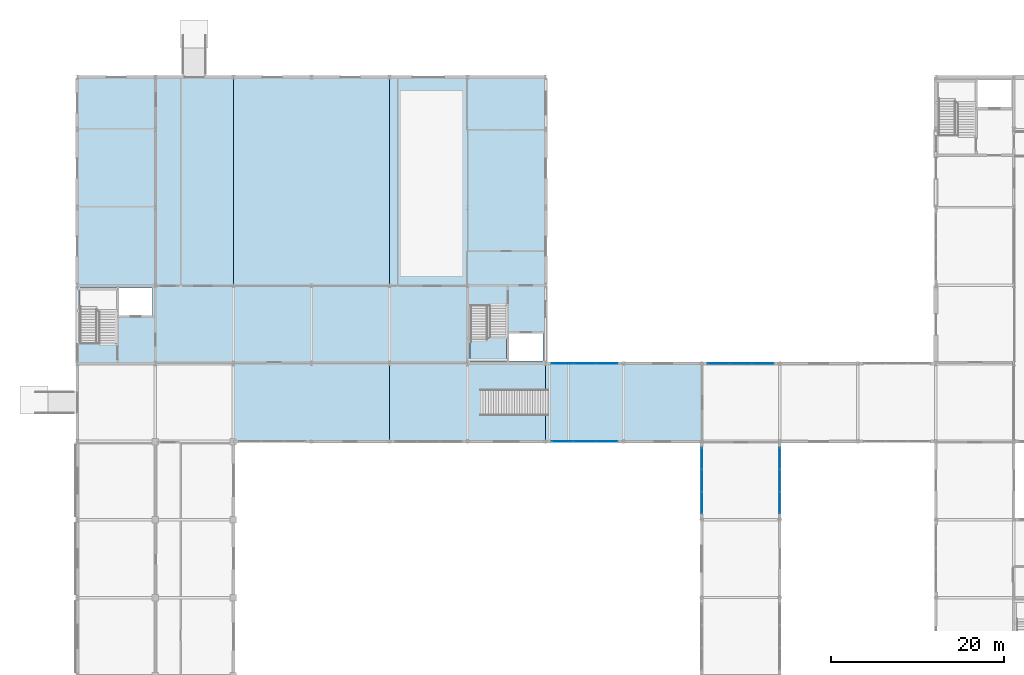
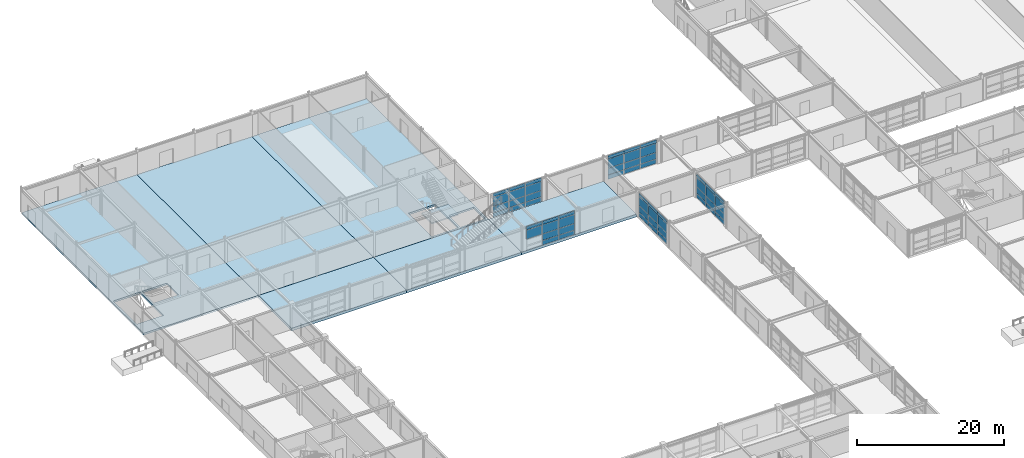
# One storey, part 49 of 72: 58 plates, 7 slabs, 5 elements without a shape of their own.
"""IFC4 building model written with IfcOpenShell, lengths in metres."""

from ifc_helpers import new_model, si_unit, direction, frame, origin, origin_2d, place, context, subcontext, project, spatial, polyline, rectangle, outline, extrude, material, layer, layer_set, type_object, element, aggregate, save


model = new_model("IFC4")

# Units and contexts
model_context = context("Model", 3, precision=1e-05, world=origin(), true_north=direction((0.0, 1.0)))
body_context = subcontext(model_context, "Body", "Model", "MODEL_VIEW")
ifc_project = project(units=[si_unit("LENGTHUNIT", "METRE"), si_unit("AREAUNIT", "SQUARE_METRE"), si_unit("VOLUMEUNIT", "CUBIC_METRE"), si_unit("PLANEANGLEUNIT", "RADIAN"), si_unit("MASSUNIT", "GRAM", prefix="KILO")], contexts=[model_context])

# Site, building, storey
site_placement = place(None, origin())
site = spatial("IfcSite", under=ifc_project, at=site_placement, CompositionType="ELEMENT")
building_placement = place(site_placement, origin())
building = spatial("IfcBuilding", under=site, at=building_placement, Name="Palais des Congres Ocreval", CompositionType="ELEMENT")
storey_placement = place(building_placement, origin())
storey = spatial("IfcBuildingStorey", under=building, at=storey_placement, Name="L00", CompositionType="ELEMENT", Elevation=0.0)

# Curtain wall, plates
ifc_material_1 = material(Name="Anodized bronze aluminium and low-E glass", Category="glass")
curtain_wall_type = type_object("IfcCurtainWallType", Name="Unitised Curtain Wall 7900x4060", PredefinedType="USERDEFINED", material=ifc_material_1)
curtain_wall_1_placement = place(storey_placement, origin())
curtain_wall_1 = element("IfcCurtainWall", 1, at=curtain_wall_1_placement, inside=storey, type_object=curtain_wall_type, Name="Unitised Curtain Wall CW01 L00", ObjectType="UNITISED CURTAIN WALL", PredefinedType="USERDEFINED")
ifc_material_2 = material(Name="Acoustic triple glazing", Category="glass")
ifc_layer_1 = layer(ifc_material_2, 0.0439453125)
ifc_layer_set_1 = layer_set([ifc_layer_1], Name="Acoustic Laminated Glazing Panel 44 (Acoustic triple glazing)")
plate_type_1 = type_object("IfcPlateType", Name="Acoustic Laminated Glazing Panel 44", PredefinedType="CURTAIN_PANEL", material=ifc_layer_set_1)
plate_1_placement = place(storey_placement, frame((73.9521484375, 81.0, 0.06005859375), z_axis=(0.0, 0.0, 1.0), x_axis=(1.0, 0.0, 0.0)))
plate_1 = element("IfcPlate", 2, at=plate_1_placement, type_object=plate_type_1, Name="Vision Glazing Panel VP02", PredefinedType="CURTAIN_PANEL", context=body_context, shape_type="SweptSolid", body=[
    extrude(rectangle(XDim=2.4541015625, YDim=0.0439453125, at=origin_2d()), origin(), (0.0, 0.0, 1.0), 0.68994140625),
])
plate_2_placement = place(storey_placement, frame((73.9521484375, 81.0, 0.81005859375), z_axis=(0.0, 0.0, 1.0), x_axis=(1.0, 0.0, 0.0)))
plate_2 = element("IfcPlate", 3, at=plate_2_placement, type_object=plate_type_1, Name="Vision Glazing Panel VP02", PredefinedType="CURTAIN_PANEL", context=body_context, shape_type="SweptSolid", body=[
    extrude(rectangle(XDim=2.4541015625, YDim=0.0439453125, at=origin_2d()), origin(), (0.0, 0.0, 1.0), 1.03271484375),
])
plate_3_placement = place(storey_placement, frame((73.9521484375, 81.0, 1.90283203125), z_axis=(0.0, 0.0, 1.0), x_axis=(1.0, 0.0, 0.0)))
plate_3 = element("IfcPlate", 4, at=plate_3_placement, type_object=plate_type_1, Name="Vision Glazing Panel VP02", PredefinedType="CURTAIN_PANEL", context=body_context, shape_type="SweptSolid", body=[
    extrude(rectangle(XDim=2.4541015625, YDim=0.0439453125, at=origin_2d()), origin(), (0.0, 0.0, 1.0), 1.47216796875),
])
plate_4_placement = place(storey_placement, frame((76.5, 81.0, 0.06005859375), z_axis=(0.0, 0.0, 1.0), x_axis=(1.0, 0.0, 0.0)))
plate_4 = element("IfcPlate", 5, at=plate_4_placement, type_object=plate_type_1, Name="Vision Glazing Panel VP02", PredefinedType="CURTAIN_PANEL", context=body_context, shape_type="SweptSolid", body=[
    extrude(rectangle(XDim=2.49169921875, YDim=0.0439453125, at=origin_2d()), origin(), (0.0, 0.0, 1.0), 0.68994140625),
])
plate_5_placement = place(storey_placement, frame((76.5, 81.0, 0.81005859375), z_axis=(0.0, 0.0, 1.0), x_axis=(1.0, 0.0, 0.0)))
plate_5 = element("IfcPlate", 6, at=plate_5_placement, type_object=plate_type_1, Name="Vision Glazing Panel VP02", PredefinedType="CURTAIN_PANEL", context=body_context, shape_type="SweptSolid", body=[
    extrude(rectangle(XDim=2.49169921875, YDim=0.0439453125, at=origin_2d()), origin(), (0.0, 0.0, 1.0), 1.03271484375),
])
plate_6_placement = place(storey_placement, frame((76.5, 81.0, 1.90283203125), z_axis=(0.0, 0.0, 1.0), x_axis=(1.0, 0.0, 0.0)))
plate_6 = element("IfcPlate", 7, at=plate_6_placement, type_object=plate_type_1, Name="Vision Glazing Panel VP02", PredefinedType="CURTAIN_PANEL", context=body_context, shape_type="SweptSolid", body=[
    extrude(rectangle(XDim=2.49169921875, YDim=0.0439453125, at=origin_2d()), origin(), (0.0, 0.0, 1.0), 1.47216796875),
])
plate_7_placement = place(storey_placement, frame((79.0478515625, 81.0, 0.06005859375), z_axis=(0.0, 0.0, 1.0), x_axis=(1.0, 0.0, 0.0)))
plate_7 = element("IfcPlate", 8, at=plate_7_placement, type_object=plate_type_1, Name="Vision Glazing Panel VP02", PredefinedType="CURTAIN_PANEL", context=body_context, shape_type="SweptSolid", body=[
    extrude(rectangle(XDim=2.4541015625, YDim=0.0439453125, at=origin_2d()), origin(), (0.0, 0.0, 1.0), 0.68994140625),
])
plate_8_placement = place(storey_placement, frame((79.0478515625, 81.0, 0.81005859375), z_axis=(0.0, 0.0, 1.0), x_axis=(1.0, 0.0, 0.0)))
plate_8 = element("IfcPlate", 9, at=plate_8_placement, type_object=plate_type_1, Name="Vision Glazing Panel VP02", PredefinedType="CURTAIN_PANEL", context=body_context, shape_type="SweptSolid", body=[
    extrude(rectangle(XDim=2.4541015625, YDim=0.0439453125, at=origin_2d()), origin(), (0.0, 0.0, 1.0), 1.03271484375),
])
plate_9_placement = place(storey_placement, frame((79.0478515625, 81.0, 1.90283203125), z_axis=(0.0, 0.0, 1.0), x_axis=(1.0, 0.0, 0.0)))
plate_9 = element("IfcPlate", 10, at=plate_9_placement, type_object=plate_type_1, Name="Vision Glazing Panel VP02", PredefinedType="CURTAIN_PANEL", context=body_context, shape_type="SweptSolid", body=[
    extrude(rectangle(XDim=2.4541015625, YDim=0.0439453125, at=origin_2d()), origin(), (0.0, 0.0, 1.0), 1.47216796875),
])

curtain_wall_2_placement = place(storey_placement, origin())
curtain_wall_2 = element("IfcCurtainWall", 11, at=curtain_wall_2_placement, inside=storey, type_object=curtain_wall_type, Name="Unitised Curtain Wall CW01 L00", ObjectType="UNITISED CURTAIN WALL", PredefinedType="USERDEFINED")
plate_10_placement = place(storey_placement, frame((61.0478515625, 72.0, 0.06005859375), z_axis=(0.0, 0.0, 1.0), x_axis=(-1.0, 0.0, 0.0)))
plate_10 = element("IfcPlate", 12, at=plate_10_placement, type_object=plate_type_1, Name="Vision Glazing Panel VP02", PredefinedType="CURTAIN_PANEL", context=body_context, shape_type="SweptSolid", body=[
    extrude(rectangle(XDim=2.4541015625, YDim=0.0439453125, at=origin_2d()), origin(), (0.0, 0.0, 1.0), 0.68994140625),
])
plate_11_placement = place(storey_placement, frame((61.0478515625, 72.0, 0.81005859375), z_axis=(0.0, 0.0, 1.0), x_axis=(-1.0, 0.0, 0.0)))
plate_11 = element("IfcPlate", 13, at=plate_11_placement, type_object=plate_type_1, Name="Vision Glazing Panel VP02", PredefinedType="CURTAIN_PANEL", context=body_context, shape_type="SweptSolid", body=[
    extrude(rectangle(XDim=2.4541015625, YDim=0.0439453125, at=origin_2d()), origin(), (0.0, 0.0, 1.0), 1.03271484375),
])
plate_12_placement = place(storey_placement, frame((61.0478515625, 72.0, 1.90283203125), z_axis=(0.0, 0.0, 1.0), x_axis=(-1.0, 0.0, 0.0)))
plate_12 = element("IfcPlate", 14, at=plate_12_placement, type_object=plate_type_1, Name="Vision Glazing Panel VP02", PredefinedType="CURTAIN_PANEL", context=body_context, shape_type="SweptSolid", body=[
    extrude(rectangle(XDim=2.4541015625, YDim=0.0439453125, at=origin_2d()), origin(), (0.0, 0.0, 1.0), 1.47216796875),
])
plate_13_placement = place(storey_placement, frame((58.5, 72.0, 0.06005859375), z_axis=(0.0, 0.0, 1.0), x_axis=(-1.0, 0.0, 0.0)))
plate_13 = element("IfcPlate", 15, at=plate_13_placement, type_object=plate_type_1, Name="Vision Glazing Panel VP02", PredefinedType="CURTAIN_PANEL", context=body_context, shape_type="SweptSolid", body=[
    extrude(rectangle(XDim=2.49169921875, YDim=0.0439453125, at=origin_2d()), origin(), (0.0, 0.0, 1.0), 0.68994140625),
])
plate_14_placement = place(storey_placement, frame((58.5, 72.0, 0.81005859375), z_axis=(0.0, 0.0, 1.0), x_axis=(-1.0, 0.0, 0.0)))
plate_14 = element("IfcPlate", 16, at=plate_14_placement, type_object=plate_type_1, Name="Vision Glazing Panel VP02", PredefinedType="CURTAIN_PANEL", context=body_context, shape_type="SweptSolid", body=[
    extrude(rectangle(XDim=2.49169921875, YDim=0.0439453125, at=origin_2d()), origin(), (0.0, 0.0, 1.0), 1.03271484375),
])
plate_15_placement = place(storey_placement, frame((58.5, 72.0, 1.90283203125), z_axis=(0.0, 0.0, 1.0), x_axis=(-1.0, 0.0, 0.0)))
plate_15 = element("IfcPlate", 17, at=plate_15_placement, type_object=plate_type_1, Name="Vision Glazing Panel VP02", PredefinedType="CURTAIN_PANEL", context=body_context, shape_type="SweptSolid", body=[
    extrude(rectangle(XDim=2.49169921875, YDim=0.0439453125, at=origin_2d()), origin(), (0.0, 0.0, 1.0), 1.47216796875),
])
plate_16_placement = place(storey_placement, frame((55.9521484375, 72.0, 1.90283203125), z_axis=(0.0, 0.0, 1.0), x_axis=(-1.0, 0.0, 0.0)))
plate_16 = element("IfcPlate", 18, at=plate_16_placement, type_object=plate_type_1, Name="Vision Glazing Panel VP02", PredefinedType="CURTAIN_PANEL", context=body_context, shape_type="SweptSolid", body=[
    extrude(rectangle(XDim=2.4541015625, YDim=0.0439453125, at=origin_2d()), origin(), (0.0, 0.0, 1.0), 1.47216796875),
])

curtain_wall_3_placement = place(storey_placement, origin())
curtain_wall_3 = element("IfcCurtainWall", 19, at=curtain_wall_3_placement, inside=storey, type_object=curtain_wall_type, Name="Unitised Curtain Wall CW01 L00", ObjectType="UNITISED CURTAIN WALL", PredefinedType="USERDEFINED")
ifc_material_3 = material(Name="Anodized bronze aluminium", Category="aluminium")
ifc_layer_2 = layer(ifc_material_3, 0.06005859375)
ifc_layer_set_2 = layer_set([ifc_layer_2], Name="Anodized Bronze Spandrel Cassette 60 (Anodized bronze aluminium)")
plate_type_2 = type_object("IfcPlateType", Name="Anodized Bronze Spandrel Cassette 60", PredefinedType="SHEET", material=ifc_layer_set_2)
plate_17_placement = place(storey_placement, frame((55.9521484375, 81.0, 3.43505859375), z_axis=(0.0, 0.0, 1.0), x_axis=(1.0, 0.0, 0.0)))
plate_17 = element("IfcPlate", 20, at=plate_17_placement, type_object=plate_type_2, Name="Spandrel Sheet SPN1", PredefinedType="SHEET", context=body_context, shape_type="SweptSolid", body=[
    extrude(rectangle(XDim=2.4541015625, YDim=0.06005859375, at=origin_2d()), origin(), (0.0, 0.0, 1.0), 0.56005859375),
])
plate_18_placement = place(storey_placement, frame((58.5, 81.0, 3.43505859375), z_axis=(0.0, 0.0, 1.0), x_axis=(1.0, 0.0, 0.0)))
plate_18 = element("IfcPlate", 21, at=plate_18_placement, type_object=plate_type_2, Name="Spandrel Sheet SPN1", PredefinedType="SHEET", context=body_context, shape_type="SweptSolid", body=[
    extrude(rectangle(XDim=2.49169921875, YDim=0.06005859375, at=origin_2d()), origin(), (0.0, 0.0, 1.0), 0.56005859375),
])
plate_19_placement = place(storey_placement, frame((61.0478515625, 81.0, 3.43505859375), z_axis=(0.0, 0.0, 1.0), x_axis=(1.0, 0.0, 0.0)))
plate_19 = element("IfcPlate", 22, at=plate_19_placement, type_object=plate_type_2, Name="Spandrel Sheet SPN1", PredefinedType="SHEET", context=body_context, shape_type="SweptSolid", body=[
    extrude(rectangle(XDim=2.4541015625, YDim=0.06005859375, at=origin_2d()), origin(), (0.0, 0.0, 1.0), 0.56005859375),
])

# Plate
plate_20_placement = place(storey_placement, frame((61.0478515625, 72.0, 3.43505859375), z_axis=(0.0, 0.0, 1.0), x_axis=(-1.0, 0.0, 0.0)))
plate_20 = element("IfcPlate", 23, at=plate_20_placement, type_object=plate_type_2, Name="Spandrel Sheet SPN1", PredefinedType="SHEET", context=body_context, shape_type="SweptSolid", body=[
    extrude(rectangle(XDim=2.4541015625, YDim=0.06005859375, at=origin_2d()), origin(), (0.0, 0.0, 1.0), 0.56005859375),
])

plate_21_placement = place(storey_placement, frame((58.5, 72.0, 3.43505859375), z_axis=(0.0, 0.0, 1.0), x_axis=(-1.0, 0.0, 0.0)))
plate_21 = element("IfcPlate", 24, at=plate_21_placement, type_object=plate_type_2, Name="Spandrel Sheet SPN1", PredefinedType="SHEET", context=body_context, shape_type="SweptSolid", body=[
    extrude(rectangle(XDim=2.49169921875, YDim=0.06005859375, at=origin_2d()), origin(), (0.0, 0.0, 1.0), 0.56005859375),
])

plate_22_placement = place(storey_placement, frame((55.9521484375, 72.0, 3.43505859375), z_axis=(0.0, 0.0, 1.0), x_axis=(-1.0, 0.0, 0.0)))
plate_22 = element("IfcPlate", 25, at=plate_22_placement, type_object=plate_type_2, Name="Spandrel Sheet SPN1", PredefinedType="SHEET", context=body_context, shape_type="SweptSolid", body=[
    extrude(rectangle(XDim=2.4541015625, YDim=0.06005859375, at=origin_2d()), origin(), (0.0, 0.0, 1.0), 0.56005859375),
])

aggregate(curtain_wall_2, [plate_10, plate_11, plate_12, plate_20, plate_13, plate_14, plate_15, plate_21, plate_16, plate_22])

# Slabs
ifc_material_4 = material(Name="Concrete C40/50", Category="concrete")
ifc_layer_3 = layer(ifc_material_4, 0.300048828125)
ifc_layer_set_3 = layer_set([ifc_layer_3], Name="Congress Orchestra Floor Slab 300 Concrete C40/50")
slab_type_1 = type_object("IfcSlabType", Name="Congress Orchestra Floor Slab 300 Concrete C40/50", PredefinedType="FLOOR", material=ifc_layer_set_3)
slab_1_placement = place(storey_placement, frame((0.0, 0.0, -0.300048828125)))
element("IfcSlab", 26, at=slab_1_placement, inside=storey, type_object=slab_type_1, Name="Floor Slab SL06 L00 V1-1", PredefinedType="FLOOR", context=body_context, shape_type="SweptSolid", body=[
    extrude(outline(polyline([(0.0, 114.0), (18.0, 114.0), (18.0, 81.0), (0.0, 81.0), (0.0, 114.0)]), holes=[polyline([(4.5, 89.699951171875), (0.300048828125, 89.699951171875), (0.300048828125, 83.35009765625), (4.5, 83.35009765625), (4.5, 89.699951171875)]), polyline([(4.800048828125, 89.699951171875), (4.800048828125, 86.550048828125), (8.699951171875, 86.550048828125), (8.699951171875, 89.699951171875), (4.800048828125, 89.699951171875)])]), origin(), (0.0, 0.0, 1.0), 0.300048828125),
])
slab_2_placement = place(storey_placement, frame((0.0, 0.0, -0.300048828125)))
element("IfcSlab", 27, at=slab_2_placement, inside=storey, type_object=slab_type_1, Name="Floor Slab SL06 L00 V1-2", PredefinedType="FLOOR", context=body_context, shape_type="SweptSolid", body=[
    extrude(outline(polyline([(36.0, 114.0), (36.0, 81.0), (18.0, 81.0), (18.0, 114.0), (36.0, 114.0)])), origin(), (0.0, 0.0, 1.0), 0.300048828125),
])
slab_3_placement = place(storey_placement, frame((0.0, 0.0, -0.300048828125)))
element("IfcSlab", 28, at=slab_3_placement, inside=storey, type_object=slab_type_1, Name="Floor Slab SL06 L00 V1-3", PredefinedType="FLOOR", context=body_context, shape_type="SweptSolid", body=[
    extrude(outline(polyline([(54.0, 114.0), (54.0, 81.0), (36.0, 81.0), (36.0, 114.0), (54.0, 114.0)]), holes=[polyline([(49.800048828125, 84.449951171875), (49.800048828125, 81.300048828125), (53.699951171875, 81.300048828125), (53.699951171875, 84.449951171875), (49.800048828125, 84.449951171875)]), polyline([(49.5, 87.64990234375), (45.300048828125, 87.64990234375), (45.300048828125, 81.300048828125), (49.5, 81.300048828125), (49.5, 87.64990234375)])]), origin(), (0.0, 0.0, 1.0), 0.300048828125),
])

# Curtain wall, plates
curtain_wall_4_placement = place(storey_placement, origin())
curtain_wall_4 = element("IfcCurtainWall", 29, at=curtain_wall_4_placement, inside=storey, type_object=curtain_wall_type, Name="Unitised Curtain Wall CW01 L00", ObjectType="UNITISED CURTAIN WALL", PredefinedType="USERDEFINED")
ifc_material_5 = material(Name="Low-E solar-control double glazing", Category="glass")
ifc_layer_4 = layer(ifc_material_5, 0.031982421875)
ifc_layer_set_4 = layer_set([ifc_layer_4], Name="Galleria Clear Vision Panel 32 (Low-E solar-control double glazing)")
plate_type_3 = type_object("IfcPlateType", Name="Galleria Clear Vision Panel 32", PredefinedType="CURTAIN_PANEL", material=ifc_layer_set_4)
plate_23_placement = place(storey_placement, frame((81.0, 70.0478515625, 0.06005859375), z_axis=(0.0, 0.0, 1.0), x_axis=(0.0, -1.0, 0.0)))
plate_23 = element("IfcPlate", 30, at=plate_23_placement, type_object=plate_type_3, Name="Vision Glazing Panel VP03", PredefinedType="CURTAIN_PANEL", context=body_context, shape_type="SweptSolid", body=[
    extrude(rectangle(XDim=2.4541015625, YDim=0.031982421875, at=origin_2d()), origin(), (0.0, 0.0, 1.0), 0.68994140625),
])
plate_24_placement = place(storey_placement, frame((81.0, 70.0478515625, 0.81005859375), z_axis=(0.0, 0.0, 1.0), x_axis=(0.0, -1.0, 0.0)))
plate_24 = element("IfcPlate", 31, at=plate_24_placement, type_object=plate_type_3, Name="Vision Glazing Panel VP03", PredefinedType="CURTAIN_PANEL", context=body_context, shape_type="SweptSolid", body=[
    extrude(rectangle(XDim=2.4541015625, YDim=0.031982421875, at=origin_2d()), origin(), (0.0, 0.0, 1.0), 1.03271484375),
])
plate_25_placement = place(storey_placement, frame((81.0, 70.0478515625, 1.90283203125), z_axis=(0.0, 0.0, 1.0), x_axis=(0.0, -1.0, 0.0)))
plate_25 = element("IfcPlate", 32, at=plate_25_placement, type_object=plate_type_3, Name="Vision Glazing Panel VP03", PredefinedType="CURTAIN_PANEL", context=body_context, shape_type="SweptSolid", body=[
    extrude(rectangle(XDim=2.4541015625, YDim=0.031982421875, at=origin_2d()), origin(), (0.0, 0.0, 1.0), 1.47216796875),
])
plate_26_placement = place(storey_placement, frame((81.0, 67.5, 0.06005859375), z_axis=(0.0, 0.0, 1.0), x_axis=(0.0, -1.0, 0.0)))
plate_26 = element("IfcPlate", 33, at=plate_26_placement, type_object=plate_type_3, Name="Vision Glazing Panel VP03", PredefinedType="CURTAIN_PANEL", context=body_context, shape_type="SweptSolid", body=[
    extrude(rectangle(XDim=2.49169921875, YDim=0.031982421875, at=origin_2d()), origin(), (0.0, 0.0, 1.0), 0.68994140625),
])
plate_27_placement = place(storey_placement, frame((81.0, 67.5, 0.81005859375), z_axis=(0.0, 0.0, 1.0), x_axis=(0.0, -1.0, 0.0)))
plate_27 = element("IfcPlate", 34, at=plate_27_placement, type_object=plate_type_3, Name="Vision Glazing Panel VP03", PredefinedType="CURTAIN_PANEL", context=body_context, shape_type="SweptSolid", body=[
    extrude(rectangle(XDim=2.49169921875, YDim=0.031982421875, at=origin_2d()), origin(), (0.0, 0.0, 1.0), 1.03271484375),
])
plate_28_placement = place(storey_placement, frame((81.0, 67.5, 1.90283203125), z_axis=(0.0, 0.0, 1.0), x_axis=(0.0, -1.0, 0.0)))
plate_28 = element("IfcPlate", 35, at=plate_28_placement, type_object=plate_type_3, Name="Vision Glazing Panel VP03", PredefinedType="CURTAIN_PANEL", context=body_context, shape_type="SweptSolid", body=[
    extrude(rectangle(XDim=2.49169921875, YDim=0.031982421875, at=origin_2d()), origin(), (0.0, 0.0, 1.0), 1.47216796875),
])
plate_29_placement = place(storey_placement, frame((81.0, 64.9521484375, 0.06005859375), z_axis=(0.0, 0.0, 1.0), x_axis=(0.0, -1.0, 0.0)))
plate_29 = element("IfcPlate", 36, at=plate_29_placement, type_object=plate_type_3, Name="Vision Glazing Panel VP03", PredefinedType="CURTAIN_PANEL", context=body_context, shape_type="SweptSolid", body=[
    extrude(rectangle(XDim=2.4541015625, YDim=0.031982421875, at=origin_2d()), origin(), (0.0, 0.0, 1.0), 0.68994140625),
])
plate_30_placement = place(storey_placement, frame((81.0, 64.9521484375, 0.81005859375), z_axis=(0.0, 0.0, 1.0), x_axis=(0.0, -1.0, 0.0)))
plate_30 = element("IfcPlate", 37, at=plate_30_placement, type_object=plate_type_3, Name="Vision Glazing Panel VP03", PredefinedType="CURTAIN_PANEL", context=body_context, shape_type="SweptSolid", body=[
    extrude(rectangle(XDim=2.4541015625, YDim=0.031982421875, at=origin_2d()), origin(), (0.0, 0.0, 1.0), 1.03271484375),
])
plate_31_placement = place(storey_placement, frame((81.0, 64.9521484375, 1.90283203125), z_axis=(0.0, 0.0, 1.0), x_axis=(0.0, -1.0, 0.0)))
plate_31 = element("IfcPlate", 38, at=plate_31_placement, type_object=plate_type_3, Name="Vision Glazing Panel VP03", PredefinedType="CURTAIN_PANEL", context=body_context, shape_type="SweptSolid", body=[
    extrude(rectangle(XDim=2.4541015625, YDim=0.031982421875, at=origin_2d()), origin(), (0.0, 0.0, 1.0), 1.47216796875),
])

# Slabs
ifc_layer_5 = layer(ifc_material_4, 0.449951171875)
ifc_layer_set_5 = layer_set([ifc_layer_5], Name="Hydrotherapy Pool and Cistern Slab 450 Concrete C40/50")
slab_type_2 = type_object("IfcSlabType", Name="Hydrotherapy Pool and Cistern Slab 450 Concrete C40/50", PredefinedType="FLOOR", material=ifc_layer_set_5)
slab_4_placement = place(storey_placement, frame((0.0, 0.0, -0.449951171875)))
element("IfcSlab", 39, at=slab_4_placement, inside=storey, type_object=slab_type_2, Name="Floor Slab SL03 L00 V5-2", PredefinedType="FLOOR", context=body_context, shape_type="SweptSolid", body=[
    extrude(outline(polyline([(36.0, 81.0), (36.0, 72.0), (18.0, 72.0), (18.0, 81.0), (36.0, 81.0)])), origin(), (0.0, 0.0, 1.0), 0.449951171875),
])
slab_5_placement = place(storey_placement, frame((0.0, 0.0, -0.449951171875)))
element("IfcSlab", 40, at=slab_5_placement, inside=storey, type_object=slab_type_2, Name="Floor Slab SL03 L00 V5-3", PredefinedType="FLOOR", context=body_context, shape_type="SweptSolid", body=[
    extrude(outline(polyline([(54.0, 81.0), (54.0, 72.0), (36.0, 72.0), (36.0, 81.0), (54.0, 81.0)])), origin(), (0.0, 0.0, 1.0), 0.449951171875),
])
slab_6_placement = place(storey_placement, frame((0.0, 0.0, -0.449951171875)))
element("IfcSlab", 41, at=slab_6_placement, inside=storey, type_object=slab_type_2, Name="Floor Slab SL03 L00 V5-4", PredefinedType="FLOOR", context=body_context, shape_type="SweptSolid", body=[
    extrude(outline(polyline([(72.0, 81.0), (72.0, 72.0), (54.0, 72.0), (54.0, 81.0), (72.0, 81.0)])), origin(), (0.0, 0.0, 1.0), 0.449951171875),
])

# Plate
ifc_layer_6 = layer(ifc_material_5, 0.035888671875)
ifc_layer_set_6 = layer_set([ifc_layer_6], Name="Low-E Vision Glazing Panel 36 (Low-E solar-control double glazing)")
plate_type_4 = type_object("IfcPlateType", Name="Low-E Vision Glazing Panel 36", PredefinedType="CURTAIN_PANEL", material=ifc_layer_set_6)
plate_32_placement = place(storey_placement, frame((55.9521484375, 81.0, 0.06005859375), z_axis=(0.0, 0.0, 1.0), x_axis=(1.0, 0.0, 0.0)))
plate_32 = element("IfcPlate", 42, at=plate_32_placement, type_object=plate_type_4, Name="Vision Glazing Panel VP01", PredefinedType="CURTAIN_PANEL", context=body_context, shape_type="SweptSolid", body=[
    extrude(rectangle(XDim=2.4541015625, YDim=0.035888671875, at=origin_2d()), origin(), (0.0, 0.0, 1.0), 0.68994140625),
])

plate_33_placement = place(storey_placement, frame((55.9521484375, 81.0, 0.81005859375), z_axis=(0.0, 0.0, 1.0), x_axis=(1.0, 0.0, 0.0)))
plate_33 = element("IfcPlate", 43, at=plate_33_placement, type_object=plate_type_4, Name="Vision Glazing Panel VP01", PredefinedType="CURTAIN_PANEL", context=body_context, shape_type="SweptSolid", body=[
    extrude(rectangle(XDim=2.4541015625, YDim=0.035888671875, at=origin_2d()), origin(), (0.0, 0.0, 1.0), 1.03271484375),
])

plate_34_placement = place(storey_placement, frame((55.9521484375, 81.0, 1.90283203125), z_axis=(0.0, 0.0, 1.0), x_axis=(1.0, 0.0, 0.0)))
plate_34 = element("IfcPlate", 44, at=plate_34_placement, type_object=plate_type_4, Name="Vision Glazing Panel VP01", PredefinedType="CURTAIN_PANEL", context=body_context, shape_type="SweptSolid", body=[
    extrude(rectangle(XDim=2.4541015625, YDim=0.035888671875, at=origin_2d()), origin(), (0.0, 0.0, 1.0), 1.47216796875),
])

plate_35_placement = place(storey_placement, frame((58.5, 81.0, 0.06005859375), z_axis=(0.0, 0.0, 1.0), x_axis=(1.0, 0.0, 0.0)))
plate_35 = element("IfcPlate", 45, at=plate_35_placement, type_object=plate_type_4, Name="Vision Glazing Panel VP01", PredefinedType="CURTAIN_PANEL", context=body_context, shape_type="SweptSolid", body=[
    extrude(rectangle(XDim=2.49169921875, YDim=0.035888671875, at=origin_2d()), origin(), (0.0, 0.0, 1.0), 0.68994140625),
])

plate_36_placement = place(storey_placement, frame((58.5, 81.0, 0.81005859375), z_axis=(0.0, 0.0, 1.0), x_axis=(1.0, 0.0, 0.0)))
plate_36 = element("IfcPlate", 46, at=plate_36_placement, type_object=plate_type_4, Name="Vision Glazing Panel VP01", PredefinedType="CURTAIN_PANEL", context=body_context, shape_type="SweptSolid", body=[
    extrude(rectangle(XDim=2.49169921875, YDim=0.035888671875, at=origin_2d()), origin(), (0.0, 0.0, 1.0), 1.03271484375),
])

plate_37_placement = place(storey_placement, frame((58.5, 81.0, 1.90283203125), z_axis=(0.0, 0.0, 1.0), x_axis=(1.0, 0.0, 0.0)))
plate_37 = element("IfcPlate", 47, at=plate_37_placement, type_object=plate_type_4, Name="Vision Glazing Panel VP01", PredefinedType="CURTAIN_PANEL", context=body_context, shape_type="SweptSolid", body=[
    extrude(rectangle(XDim=2.49169921875, YDim=0.035888671875, at=origin_2d()), origin(), (0.0, 0.0, 1.0), 1.47216796875),
])

plate_38_placement = place(storey_placement, frame((61.0478515625, 81.0, 0.06005859375), z_axis=(0.0, 0.0, 1.0), x_axis=(1.0, 0.0, 0.0)))
plate_38 = element("IfcPlate", 48, at=plate_38_placement, type_object=plate_type_4, Name="Vision Glazing Panel VP01", PredefinedType="CURTAIN_PANEL", context=body_context, shape_type="SweptSolid", body=[
    extrude(rectangle(XDim=2.4541015625, YDim=0.035888671875, at=origin_2d()), origin(), (0.0, 0.0, 1.0), 0.68994140625),
])

plate_39_placement = place(storey_placement, frame((61.0478515625, 81.0, 0.81005859375), z_axis=(0.0, 0.0, 1.0), x_axis=(1.0, 0.0, 0.0)))
plate_39 = element("IfcPlate", 49, at=plate_39_placement, type_object=plate_type_4, Name="Vision Glazing Panel VP01", PredefinedType="CURTAIN_PANEL", context=body_context, shape_type="SweptSolid", body=[
    extrude(rectangle(XDim=2.4541015625, YDim=0.035888671875, at=origin_2d()), origin(), (0.0, 0.0, 1.0), 1.03271484375),
])

plate_40_placement = place(storey_placement, frame((61.0478515625, 81.0, 1.90283203125), z_axis=(0.0, 0.0, 1.0), x_axis=(1.0, 0.0, 0.0)))
plate_40 = element("IfcPlate", 50, at=plate_40_placement, type_object=plate_type_4, Name="Vision Glazing Panel VP01", PredefinedType="CURTAIN_PANEL", context=body_context, shape_type="SweptSolid", body=[
    extrude(rectangle(XDim=2.4541015625, YDim=0.035888671875, at=origin_2d()), origin(), (0.0, 0.0, 1.0), 1.47216796875),
])

aggregate(curtain_wall_3, [plate_32, plate_33, plate_34, plate_17, plate_35, plate_36, plate_37, plate_18, plate_38, plate_39, plate_40, plate_19])

# Curtain wall, plates
curtain_wall_5_placement = place(storey_placement, origin())
curtain_wall_5 = element("IfcCurtainWall", 51, at=curtain_wall_5_placement, inside=storey, type_object=curtain_wall_type, Name="Unitised Curtain Wall CW01 L00", ObjectType="UNITISED CURTAIN WALL", PredefinedType="USERDEFINED")
plate_41_placement = place(storey_placement, frame((72.0, 64.9521484375, 0.06005859375), z_axis=(0.0, 0.0, 1.0), x_axis=(0.0, 1.0, 0.0)))
plate_41 = element("IfcPlate", 52, at=plate_41_placement, type_object=plate_type_4, Name="Vision Glazing Panel VP01", PredefinedType="CURTAIN_PANEL", context=body_context, shape_type="SweptSolid", body=[
    extrude(rectangle(XDim=2.4541015625, YDim=0.035888671875, at=origin_2d()), origin(), (0.0, 0.0, 1.0), 0.68994140625),
])
plate_42_placement = place(storey_placement, frame((72.0, 64.9521484375, 0.81005859375), z_axis=(0.0, 0.0, 1.0), x_axis=(0.0, 1.0, 0.0)))
plate_42 = element("IfcPlate", 53, at=plate_42_placement, type_object=plate_type_4, Name="Vision Glazing Panel VP01", PredefinedType="CURTAIN_PANEL", context=body_context, shape_type="SweptSolid", body=[
    extrude(rectangle(XDim=2.4541015625, YDim=0.035888671875, at=origin_2d()), origin(), (0.0, 0.0, 1.0), 1.03271484375),
])
plate_43_placement = place(storey_placement, frame((72.0, 64.9521484375, 1.90283203125), z_axis=(0.0, 0.0, 1.0), x_axis=(0.0, 1.0, 0.0)))
plate_43 = element("IfcPlate", 54, at=plate_43_placement, type_object=plate_type_4, Name="Vision Glazing Panel VP01", PredefinedType="CURTAIN_PANEL", context=body_context, shape_type="SweptSolid", body=[
    extrude(rectangle(XDim=2.4541015625, YDim=0.035888671875, at=origin_2d()), origin(), (0.0, 0.0, 1.0), 1.47216796875),
])
plate_44_placement = place(storey_placement, frame((72.0, 67.5, 0.06005859375), z_axis=(0.0, 0.0, 1.0), x_axis=(0.0, 1.0, 0.0)))
plate_44 = element("IfcPlate", 55, at=plate_44_placement, type_object=plate_type_4, Name="Vision Glazing Panel VP01", PredefinedType="CURTAIN_PANEL", context=body_context, shape_type="SweptSolid", body=[
    extrude(rectangle(XDim=2.49169921875, YDim=0.035888671875, at=origin_2d()), origin(), (0.0, 0.0, 1.0), 0.68994140625),
])
plate_45_placement = place(storey_placement, frame((72.0, 67.5, 0.81005859375), z_axis=(0.0, 0.0, 1.0), x_axis=(0.0, 1.0, 0.0)))
plate_45 = element("IfcPlate", 56, at=plate_45_placement, type_object=plate_type_4, Name="Vision Glazing Panel VP01", PredefinedType="CURTAIN_PANEL", context=body_context, shape_type="SweptSolid", body=[
    extrude(rectangle(XDim=2.49169921875, YDim=0.035888671875, at=origin_2d()), origin(), (0.0, 0.0, 1.0), 1.03271484375),
])
plate_46_placement = place(storey_placement, frame((72.0, 67.5, 1.90283203125), z_axis=(0.0, 0.0, 1.0), x_axis=(0.0, 1.0, 0.0)))
plate_46 = element("IfcPlate", 57, at=plate_46_placement, type_object=plate_type_4, Name="Vision Glazing Panel VP01", PredefinedType="CURTAIN_PANEL", context=body_context, shape_type="SweptSolid", body=[
    extrude(rectangle(XDim=2.49169921875, YDim=0.035888671875, at=origin_2d()), origin(), (0.0, 0.0, 1.0), 1.47216796875),
])
plate_47_placement = place(storey_placement, frame((72.0, 70.0478515625, 0.06005859375), z_axis=(0.0, 0.0, 1.0), x_axis=(0.0, 1.0, 0.0)))
plate_47 = element("IfcPlate", 58, at=plate_47_placement, type_object=plate_type_4, Name="Vision Glazing Panel VP01", PredefinedType="CURTAIN_PANEL", context=body_context, shape_type="SweptSolid", body=[
    extrude(rectangle(XDim=2.4541015625, YDim=0.035888671875, at=origin_2d()), origin(), (0.0, 0.0, 1.0), 0.68994140625),
])
plate_48_placement = place(storey_placement, frame((72.0, 70.0478515625, 0.81005859375), z_axis=(0.0, 0.0, 1.0), x_axis=(0.0, 1.0, 0.0)))
plate_48 = element("IfcPlate", 59, at=plate_48_placement, type_object=plate_type_4, Name="Vision Glazing Panel VP01", PredefinedType="CURTAIN_PANEL", context=body_context, shape_type="SweptSolid", body=[
    extrude(rectangle(XDim=2.4541015625, YDim=0.035888671875, at=origin_2d()), origin(), (0.0, 0.0, 1.0), 1.03271484375),
])
plate_49_placement = place(storey_placement, frame((72.0, 70.0478515625, 1.90283203125), z_axis=(0.0, 0.0, 1.0), x_axis=(0.0, 1.0, 0.0)))
plate_49 = element("IfcPlate", 60, at=plate_49_placement, type_object=plate_type_4, Name="Vision Glazing Panel VP01", PredefinedType="CURTAIN_PANEL", context=body_context, shape_type="SweptSolid", body=[
    extrude(rectangle(XDim=2.4541015625, YDim=0.035888671875, at=origin_2d()), origin(), (0.0, 0.0, 1.0), 1.47216796875),
])

# Slab
ifc_layer_7 = layer(ifc_material_4, 0.199951171875)
ifc_layer_set_7 = layer_set([ifc_layer_7], Name="Stair and Ramp Landing Slab 200 Concrete C40/50")
slab_type_3 = type_object("IfcSlabType", Name="Stair and Ramp Landing Slab 200 Concrete C40/50", PredefinedType="LANDING", material=ifc_layer_set_7)
slab_7_placement = place(storey_placement, frame((0.0, 0.0, 2.0400390625)))
element("IfcSlab", 61, at=slab_7_placement, inside=storey, type_object=slab_type_3, Name="Stair Half-Landing ST06 L00", PredefinedType="LANDING", context=body_context, shape_type="SweptSolid", body=[
    extrude(outline(polyline([(45.300048828125, 81.300048828125), (49.5, 81.300048828125), (49.5, 84.050048828125), (45.300048828125, 84.050048828125), (45.300048828125, 81.300048828125)])), origin(), (0.0, 0.0, 1.0), 0.199951171875),
])

# Plate
ifc_material_6 = material(Name="Terracotta ceramic spandrel", Category="masonry")
ifc_layer_8 = layer(ifc_material_6, 0.080078125)
ifc_layer_set_8 = layer_set([ifc_layer_8], Name="Terracotta Insulated Spandrel Sheet 80 (Terracotta ceramic spandrel)")
plate_type_5 = type_object("IfcPlateType", Name="Terracotta Insulated Spandrel Sheet 80", PredefinedType="SHEET", material=ifc_layer_set_8)
plate_50_placement = place(storey_placement, frame((73.9521484375, 81.0, 3.43505859375), z_axis=(0.0, 0.0, 1.0), x_axis=(1.0, 0.0, 0.0)))
plate_50 = element("IfcPlate", 62, at=plate_50_placement, type_object=plate_type_5, Name="Spandrel Sheet SPN2", PredefinedType="SHEET", context=body_context, shape_type="SweptSolid", body=[
    extrude(rectangle(XDim=2.4541015625, YDim=0.080078125, at=origin_2d()), origin(), (0.0, 0.0, 1.0), 0.56005859375),
])

plate_51_placement = place(storey_placement, frame((76.5, 81.0, 3.43505859375), z_axis=(0.0, 0.0, 1.0), x_axis=(1.0, 0.0, 0.0)))
plate_51 = element("IfcPlate", 63, at=plate_51_placement, type_object=plate_type_5, Name="Spandrel Sheet SPN2", PredefinedType="SHEET", context=body_context, shape_type="SweptSolid", body=[
    extrude(rectangle(XDim=2.49169921875, YDim=0.080078125, at=origin_2d()), origin(), (0.0, 0.0, 1.0), 0.56005859375),
])

plate_52_placement = place(storey_placement, frame((79.0478515625, 81.0, 3.43505859375), z_axis=(0.0, 0.0, 1.0), x_axis=(1.0, 0.0, 0.0)))
plate_52 = element("IfcPlate", 64, at=plate_52_placement, type_object=plate_type_5, Name="Spandrel Sheet SPN2", PredefinedType="SHEET", context=body_context, shape_type="SweptSolid", body=[
    extrude(rectangle(XDim=2.4541015625, YDim=0.080078125, at=origin_2d()), origin(), (0.0, 0.0, 1.0), 0.56005859375),
])

aggregate(curtain_wall_1, [plate_1, plate_2, plate_3, plate_50, plate_4, plate_5, plate_6, plate_51, plate_7, plate_8, plate_9, plate_52])

plate_53_placement = place(storey_placement, frame((81.0, 70.0478515625, 3.43505859375), z_axis=(0.0, 0.0, 1.0), x_axis=(0.0, -1.0, 0.0)))
plate_53 = element("IfcPlate", 65, at=plate_53_placement, type_object=plate_type_5, Name="Spandrel Sheet SPN2", PredefinedType="SHEET", context=body_context, shape_type="SweptSolid", body=[
    extrude(rectangle(XDim=2.4541015625, YDim=0.080078125, at=origin_2d()), origin(), (0.0, 0.0, 1.0), 0.56005859375),
])

plate_54_placement = place(storey_placement, frame((81.0, 67.5, 3.43505859375), z_axis=(0.0, 0.0, 1.0), x_axis=(0.0, -1.0, 0.0)))
plate_54 = element("IfcPlate", 66, at=plate_54_placement, type_object=plate_type_5, Name="Spandrel Sheet SPN2", PredefinedType="SHEET", context=body_context, shape_type="SweptSolid", body=[
    extrude(rectangle(XDim=2.49169921875, YDim=0.080078125, at=origin_2d()), origin(), (0.0, 0.0, 1.0), 0.56005859375),
])

plate_55_placement = place(storey_placement, frame((81.0, 64.9521484375, 3.43505859375), z_axis=(0.0, 0.0, 1.0), x_axis=(0.0, -1.0, 0.0)))
plate_55 = element("IfcPlate", 67, at=plate_55_placement, type_object=plate_type_5, Name="Spandrel Sheet SPN2", PredefinedType="SHEET", context=body_context, shape_type="SweptSolid", body=[
    extrude(rectangle(XDim=2.4541015625, YDim=0.080078125, at=origin_2d()), origin(), (0.0, 0.0, 1.0), 0.56005859375),
])

aggregate(curtain_wall_4, [plate_23, plate_24, plate_25, plate_53, plate_26, plate_27, plate_28, plate_54, plate_29, plate_30, plate_31, plate_55])

plate_56_placement = place(storey_placement, frame((72.0, 64.9521484375, 3.43505859375), z_axis=(0.0, 0.0, 1.0), x_axis=(0.0, 1.0, 0.0)))
plate_56 = element("IfcPlate", 68, at=plate_56_placement, type_object=plate_type_5, Name="Spandrel Sheet SPN2", PredefinedType="SHEET", context=body_context, shape_type="SweptSolid", body=[
    extrude(rectangle(XDim=2.4541015625, YDim=0.080078125, at=origin_2d()), origin(), (0.0, 0.0, 1.0), 0.56005859375),
])

plate_57_placement = place(storey_placement, frame((72.0, 67.5, 3.43505859375), z_axis=(0.0, 0.0, 1.0), x_axis=(0.0, 1.0, 0.0)))
plate_57 = element("IfcPlate", 69, at=plate_57_placement, type_object=plate_type_5, Name="Spandrel Sheet SPN2", PredefinedType="SHEET", context=body_context, shape_type="SweptSolid", body=[
    extrude(rectangle(XDim=2.49169921875, YDim=0.080078125, at=origin_2d()), origin(), (0.0, 0.0, 1.0), 0.56005859375),
])

plate_58_placement = place(storey_placement, frame((72.0, 70.0478515625, 3.43505859375), z_axis=(0.0, 0.0, 1.0), x_axis=(0.0, 1.0, 0.0)))
plate_58 = element("IfcPlate", 70, at=plate_58_placement, type_object=plate_type_5, Name="Spandrel Sheet SPN2", PredefinedType="SHEET", context=body_context, shape_type="SweptSolid", body=[
    extrude(rectangle(XDim=2.4541015625, YDim=0.080078125, at=origin_2d()), origin(), (0.0, 0.0, 1.0), 0.56005859375),
])

aggregate(curtain_wall_5, [plate_41, plate_42, plate_43, plate_56, plate_44, plate_45, plate_46, plate_57, plate_47, plate_48, plate_49, plate_58])

save(model, "model.ifc")
